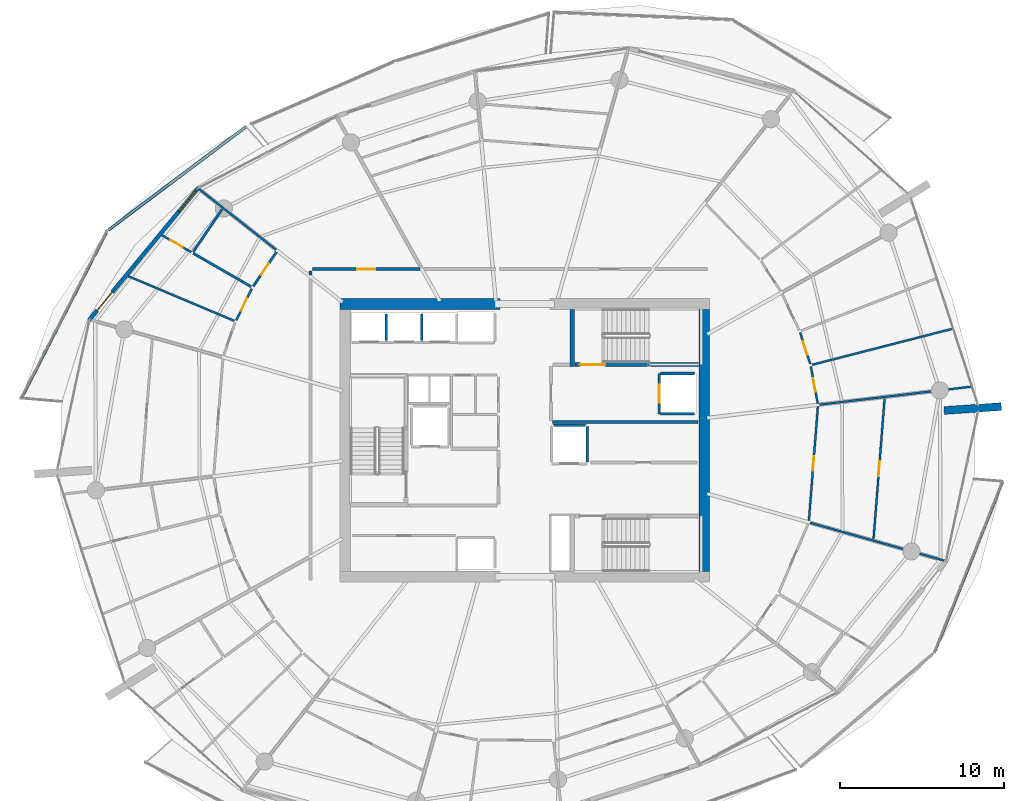
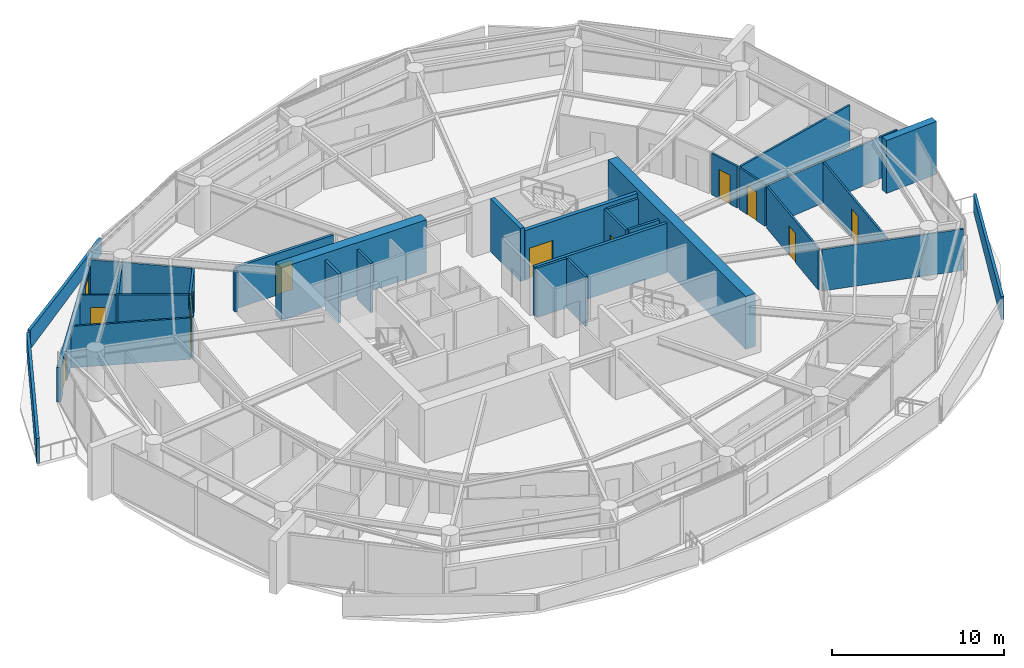
# One storey, part 14 of 21: 33 walls, 11 doors, 1 window, 12 openings.
"""IFC4 building model written with IfcOpenShell, lengths in metres."""

import ifcopenshell
import ifcopenshell.guid

model = None  # the IFC model being written
_history = None  # IfcOwnerHistory: only IFC2X3 demands one
_inside = {}  # id of a spatial element -> (the spatial element, [elements in it])
_under = {}  # id of a project, library or spatial element -> (it, [spatial elements below it])
_declared = {}  # id of a project -> (the project, [libraries it declares])
_typed = {}  # id of a type object -> (the type object, [elements of that type])
_made_of = {}  # id of a material, layer set ... -> (it, [elements and type objects made of it])


def new_model(schema):
    """Start an empty IFC model of exactly this schema.

    Asked for "IFC4X3", IfcOpenShell would pick the latest addendum, in which some entities
    have other attributes; the version numbers below select the first issue.
    IFC2X3 requires an IfcOwnerHistory on every rooted entity: one is made here for all.
    """
    global model, _history
    if schema == "IFC4X3":
        model = ifcopenshell.file(schema_version=(4, 3, 0, 0))
    else:
        model = ifcopenshell.file(schema=schema)
    _inside.clear()
    _under.clear()
    _declared.clear()
    _typed.clear()
    _made_of.clear()
    _history = None
    if model.schema == "IFC2X3":
        org = make("IfcOrganization", Name="unknown")
        user = make(
            "IfcPersonAndOrganization",
            ThePerson=make("IfcPerson", FamilyName="unknown"),
            TheOrganization=org,
        )
        app = make(
            "IfcApplication",
            ApplicationDeveloper=org,
            Version="unknown",
            ApplicationFullName="unknown",
            ApplicationIdentifier="unknown",
        )
        _history = make(
            "IfcOwnerHistory",
            OwningUser=user,
            OwningApplication=app,
            ChangeAction="ADDED",
            CreationDate=0,
        )
    return model


def make(cls, **values):
    """One entity of the class cls with the attributes given. An attribute that is None is left unset."""
    return model.create_entity(
        cls, **{name: value for name, value in values.items() if value is not None}
    )


def rooted(cls, **values):
    """An entity with a GlobalId (a new one), such as an element, a storey or a relation."""
    return make(cls, GlobalId=ifcopenshell.guid.new(), OwnerHistory=_history, **values)


def si_unit(unit_type, name, prefix=None):
    """IfcSIUnit, for example si_unit("LENGTHUNIT", "METRE", prefix="MILLI")."""
    return make("IfcSIUnit", UnitType=unit_type, Prefix=prefix, Name=name)


def assignment(units):
    """IfcUnitAssignment: the units of a project."""
    return None if units is None else make("IfcUnitAssignment", Units=units)


def point(xyz):
    """IfcCartesianPoint."""
    return None if xyz is None else make("IfcCartesianPoint", Coordinates=xyz)


def direction(xyz):
    """IfcDirection."""
    return None if xyz is None else make("IfcDirection", DirectionRatios=xyz)


def frame(location, z_axis=None, x_axis=None):
    """IfcAxis2Placement3D, a coordinate frame: its origin and axes. An axis left out is left unset."""
    return make(
        "IfcAxis2Placement3D",
        Location=point(location),
        Axis=direction(z_axis),
        RefDirection=direction(x_axis),
    )


def frame_2d(location, x_axis=None):
    """IfcAxis2Placement2D, a coordinate frame in the plane: its origin and x axis."""
    return make(
        "IfcAxis2Placement2D", Location=point(location), RefDirection=direction(x_axis)
    )


def origin():
    """The frame at (0, 0, 0) with its axes left unset."""
    return frame((0.0, 0.0, 0.0))


def place(relative_to, where):
    """IfcLocalPlacement: puts the frame where relative to a parent placement (None: the world)."""
    return make(
        "IfcLocalPlacement", PlacementRelTo=relative_to, RelativePlacement=where
    )


def context(
    kind, dimensions, precision=None, world=None, true_north=None, identifier=None
):
    """IfcGeometricRepresentationContext, for example the 3D "Model" context."""
    return make(
        "IfcGeometricRepresentationContext",
        ContextIdentifier=identifier,
        ContextType=kind,
        CoordinateSpaceDimension=dimensions,
        Precision=precision,
        WorldCoordinateSystem=world,
        TrueNorth=true_north,
    )


def subcontext(parent, identifier, kind, view, scale=None):
    """IfcGeometricRepresentationSubContext, for example "Body" below "Model"."""
    return make(
        "IfcGeometricRepresentationSubContext",
        ContextIdentifier=identifier,
        ContextType=kind,
        ParentContext=parent,
        TargetScale=scale,
        TargetView=view,
    )


def project(units=None, contexts=None):
    """IfcProject with its units and contexts."""
    return rooted(
        "IfcProject",
        Name="project",
        RepresentationContexts=contexts,
        UnitsInContext=assignment(units),
    )


def spatial(cls, under=None, at=None, **own):
    """A site, building, storey or space (cls), placed at a placement, below another one or the project."""
    s = rooted(cls, ObjectPlacement=at, **own)
    if under is not None:
        _under.setdefault(under.id(), (under, []))[1].append(s)
    return s


def polyline(points):
    """IfcPolyline through the points."""
    return make("IfcPolyline", Points=[point(p) for p in points])


def profile(cls, at=None, kind="AREA", **sizes):
    """A parametric profile (cls). Its sizes go by their IFC names, for example OverallWidth=200.0."""
    return make(cls, ProfileType=kind, Position=at, **sizes)


def rectangle(**sizes):
    """IfcRectangleProfileDef."""
    return profile("IfcRectangleProfileDef", **sizes)


def outline(outer, holes=None, kind="AREA"):
    """IfcArbitraryClosedProfileDef: a profile drawn as a closed curve; with holes, ...WithVoids."""
    if holes is None:
        return make("IfcArbitraryClosedProfileDef", ProfileType=kind, OuterCurve=outer)
    return make(
        "IfcArbitraryProfileDefWithVoids",
        ProfileType=kind,
        OuterCurve=outer,
        InnerCurves=holes,
    )


def extrude(swept, where, along, depth):
    """IfcExtrudedAreaSolid: the profile swept, set in the frame where, extruded along a direction by depth."""
    return make(
        "IfcExtrudedAreaSolid",
        SweptArea=swept,
        Position=where,
        ExtrudedDirection=direction(along),
        Depth=depth,
    )


def shape(context_of_items, identifier, shape_type, items):
    """IfcShapeRepresentation: the items that make up one representation, for example the "Body"."""
    return make(
        "IfcShapeRepresentation",
        ContextOfItems=context_of_items,
        RepresentationIdentifier=identifier,
        RepresentationType=shape_type,
        Items=items,
    )


def material(Name=None, Category=None):
    """IfcMaterial."""
    return make("IfcMaterial", Name=Name, Category=Category)


def layer(
    of_material, thickness, ventilated=None, Name=None, Category=None, Priority=None
):
    """IfcMaterialLayer: one layer of a wall or slab, of a material (None: an air gap)."""
    return make(
        "IfcMaterialLayer",
        Material=of_material,
        LayerThickness=thickness,
        IsVentilated=ventilated,
        Name=Name,
        Category=Category,
        Priority=Priority,
    )


def layer_set(layers, Name=None):
    """IfcMaterialLayerSet."""
    return make("IfcMaterialLayerSet", MaterialLayers=layers, LayerSetName=Name)


def made_of(thing, what):
    """Note that an element or type object is made of a material, layer set ...; save() writes the relation."""
    if what is not None:
        _made_of.setdefault(what.id(), (what, []))[1].append(thing)
    return thing


def type_object(cls, material=None, **own):
    """A type object (cls), such as IfcWallType, which elements share."""
    return made_of(rooted(cls, **own), material)


def element(
    cls,
    number,
    at=None,
    inside=None,
    cuts=None,
    type_object=None,
    material=None,
    context=None,
    identifier="Body",
    shape_type=None,
    held_by="IfcProductDefinitionShape",
    body=None,
    shapes=None,
    **own,
):
    """One element of the class cls, such as IfcWall. Its Tag is "e" and its number.

    at: its placement. inside: the storey or other place that contains it. cuts: it is an
    opening in that element (IfcRelVoidsElement). A single representation is given by context,
    identifier, shape_type and body (its items); several are given by shapes. held_by: the class
    of the entity that holds the representations. save() writes the other relations.
    """
    e = rooted(cls, Tag="e%d" % number, ObjectPlacement=at, **own)
    if body is not None:
        shapes = [shape(context, identifier, shape_type, body)]
    if shapes is not None:
        e.Representation = make(held_by, Representations=shapes)
    if inside is not None:
        _inside.setdefault(inside.id(), (inside, []))[1].append(e)
    if cuts is not None:
        rooted(
            "IfcRelVoidsElement", RelatingBuildingElement=cuts, RelatedOpeningElement=e
        )
    if type_object is not None:
        _typed.setdefault(type_object.id(), (type_object, []))[1].append(e)
    return made_of(e, material)


def fill(opening, filler):
    """IfcRelFillsElement: the door or window that sits in an opening."""
    return rooted(
        "IfcRelFillsElement",
        RelatingOpeningElement=opening,
        RelatedBuildingElement=filler,
    )


def aggregate(whole, parts):
    """IfcRelAggregates: a whole, such as a stair, and the parts it consists of."""
    return rooted("IfcRelAggregates", RelatingObject=whole, RelatedObjects=parts)


def save(model, path):
    """Write the relations noted so far, then the file.

    IfcRelAggregates (storeys below a building ...), IfcRelContainedInSpatialStructure (elements
    in a storey), IfcRelDefinesByType, IfcRelAssociatesMaterial and IfcRelDeclares: one each for
    every whole, place, type object, material and project.
    """
    for whole, parts in _under.values():
        aggregate(whole, parts)
    for where, things in _inside.values():
        rooted(
            "IfcRelContainedInSpatialStructure",
            RelatedElements=things,
            RelatingStructure=where,
        )
    for kind, things in _typed.values():
        rooted("IfcRelDefinesByType", RelatedObjects=things, RelatingType=kind)
    for what, things in _made_of.values():
        rooted("IfcRelAssociatesMaterial", RelatedObjects=things, RelatingMaterial=what)
    for by, libraries in _declared.values():
        rooted("IfcRelDeclares", RelatingContext=by, RelatedDefinitions=libraries)
    model.write(path)


model = new_model("IFC4")

# Units and contexts
model_context = context("Model", 3, precision=1e-05, world=origin(), true_north=direction((0.0, 1.0)))
body_context = subcontext(model_context, "Body", "Model", "MODEL_VIEW")
ifc_project = project(units=[si_unit("LENGTHUNIT", "METRE"), si_unit("AREAUNIT", "SQUARE_METRE"), si_unit("VOLUMEUNIT", "CUBIC_METRE"), si_unit("PLANEANGLEUNIT", "RADIAN"), si_unit("MASSUNIT", "GRAM", prefix="KILO")], contexts=[model_context])

# Site, building, storey
site_placement = place(None, origin())
site = spatial("IfcSite", under=ifc_project, at=site_placement, CompositionType="ELEMENT")
building_placement = place(site_placement, origin())
building = spatial("IfcBuilding", under=site, at=building_placement, Name="Kazma Halo Residences", CompositionType="ELEMENT")
storey_placement = place(building_placement, frame((0.0, 0.0, 191.550048828125)))
storey = spatial("IfcBuildingStorey", under=building, at=storey_placement, Name="L48", CompositionType="ELEMENT", Elevation=191.550048828125)

# Walls
ifc_material_1 = material(Name="White Concrete C50/60 Balustrade", Category="concrete")
ifc_layer_1 = layer(ifc_material_1, 0.179931640625)
ifc_layer_set_1 = layer_set([ifc_layer_1], Name="White Concrete C50/60 Balustrade")
wall_type_1 = type_object("IfcWallType", Name="WL-BAL-WAVE-180", PredefinedType="PARAPET", material=ifc_layer_set_1)
wall_1_placement = place(storey_placement, frame((31.431884765625, 61.160400390625, 0.0), z_axis=(0.0, 0.0, 1.0), x_axis=(-0.799768695593, -0.600308282093, 0.0)))
element("IfcWall", 1, at=wall_1_placement, inside=storey, type_object=wall_type_1, Name="L48 white wave balustrade wall NW.1", PredefinedType="PARAPET", context=body_context, shape_type="SweptSolid", body=[
    extrude(outline(polyline([(0.0, 0.0), (10.515380859375, 0.0), (10.515380859375, 1.347900390625), (5.2578125, 1.181884765625), (0.0, 1.119873046875), (0.0, 0.0)])), frame((0.0, 0.08984375, 0.0), z_axis=(0.0, -1.0, 0.0), x_axis=(1.0, 0.0, 0.0)), (0.0, 0.0, 1.0), 0.179931640625),
])
wall_2_placement = place(storey_placement, frame((22.871337890625, 54.669189453125, 0.0), z_axis=(0.0, 0.0, 1.0), x_axis=(-0.456201330326, -0.889876590437, 0.0)))
element("IfcWall", 2, at=wall_2_placement, inside=storey, type_object=wall_type_1, Name="L48 white wave balustrade wall NW.2", PredefinedType="PARAPET", context=body_context, shape_type="SweptSolid", body=[
    extrude(outline(polyline([(0.0, 0.0), (11.347412109375, 0.0), (11.347412109375, 1.7470703125), (5.673583984375, 1.56201171875), (0.0, 1.347900390625), (0.0, 0.0)])), frame((0.0, 0.08984375, 0.0), z_axis=(0.0, -1.0, 0.0), x_axis=(1.0, 0.0, 0.0)), (0.0, 0.0, 1.0), 0.179931640625),
])
wall_3_placement = place(storey_placement, frame((73.47314453125, 29.155029296875, 0.0), z_axis=(0.0, 0.0, 1.0), x_axis=(0.369781756991, 0.929118642691, 0.0)))
element("IfcWall", 3, at=wall_3_placement, inside=storey, type_object=wall_type_1, Name="L48 white wave balustrade wall SE.2", PredefinedType="PARAPET", context=body_context, shape_type="SweptSolid", body=[
    extrude(outline(polyline([(0.0, 0.0), (11.122802734375, 0.0), (11.123046875, 1.23291015625), (5.5615234375, 1.41796875), (0.0, 1.6318359375), (0.0, 0.0)])), frame((0.0, 0.08984375, 0.0), z_axis=(0.0, -1.0, 0.0), x_axis=(1.0, 0.0, 0.0)), (0.0, 0.0, 1.0), 0.179931640625),
])
ifc_material_2 = material(Name="Pale Concrete C60/75", Category="concrete")
ifc_layer_2 = layer(ifc_material_2, 0.47998046875)
ifc_layer_set_2 = layer_set([ifc_layer_2], Name="Pale Concrete C60/75")
wall_type_2 = type_object("IfcWallType", Name="WL-BLADE-480", PredefinedType="SOLIDWALL", material=ifc_layer_set_2)
wall_4_placement = place(storey_placement, frame((74.0126953125, 43.819091796875, 0.0), z_axis=(0.0, 0.0, 1.0), x_axis=(0.997568676264, 0.069690287244, 0.0)))
element("IfcWall", 4, at=wall_4_placement, inside=storey, type_object=wall_type_2, Name="L48 pale concrete structural blade fin wall BW-04", PredefinedType="SOLIDWALL", context=body_context, shape_type="SweptSolid", body=[
    extrude(rectangle(XDim=3.499755859375, YDim=0.47998046875, at=frame_2d((1.75, 0.0))), origin(), (0.0, 0.0, 1.0), 3.75),
])
ifc_material_3 = material(Name="Concrete C60/75", Category="concrete")
ifc_layer_3 = layer(ifc_material_3, 0.64990234375)
ifc_layer_set_3 = layer_set([ifc_layer_3], Name="Concrete C60/75")
wall_type_3 = type_object("IfcWallType", Name="WL-CORE-650", PredefinedType="SHEAR", material=ifc_layer_set_3)
wall_5_placement = place(storey_placement, frame((37.14990234375, 50.324951171875, 0.0), z_axis=(0.0, 0.0, 1.0), x_axis=(1.0, 0.0, 0.0)))
element("IfcWall", 5, at=wall_5_placement, inside=storey, type_object=wall_type_3, Name="L48 central core shear wall NW", PredefinedType="SHEAR", context=body_context, shape_type="SweptSolid", body=[
    extrude(rectangle(XDim=9.75, YDim=0.64990234375, at=frame_2d((4.875, 0.0))), origin(), (0.0, 0.0, 1.0), 3.75),
])
wall_6_placement = place(storey_placement, frame((59.375, 34.0, 0.0), z_axis=(0.0, 0.0, 1.0), x_axis=(0.0, 1.0, 0.0)))
element("IfcWall", 6, at=wall_6_placement, inside=storey, type_object=wall_type_3, Name="L48 central core shear wall E", PredefinedType="SHEAR", context=body_context, shape_type="SweptSolid", body=[
    extrude(rectangle(XDim=16.0, YDim=0.64990234375, at=frame_2d((8.0, 0.0))), origin(), (0.0, 0.0, 1.0), 3.75),
])
ifc_layer_4 = layer(ifc_material_3, 0.280029296875)
ifc_layer_set_4 = layer_set([ifc_layer_4], Name="Concrete C60/75")
wall_type_4 = type_object("IfcWallType", Name="WL-CORE-ST-280", PredefinedType="SHEAR", material=ifc_layer_set_4)
wall_7_placement = place(storey_placement, frame((51.31005859375, 46.5, 0.0), z_axis=(0.0, 0.0, 1.0), x_axis=(0.0, 1.0, 0.0)))
element("IfcWall", 7, at=wall_7_placement, inside=storey, type_object=wall_type_4, Name="L48 stairwell bearing wall ST02-W", PredefinedType="SHEAR", context=body_context, shape_type="SweptSolid", body=[
    extrude(rectangle(XDim=3.5, YDim=0.280029296875, at=frame_2d((1.75, 0.0))), origin(), (0.0, 0.0, 1.0), 3.75),
])

# Wall, opening, door
ifc_material_4 = material(Name="Acoustic Twin-Stud Gypsum")
ifc_layer_5 = layer(ifc_material_4, 0.179931640625)
ifc_layer_set_5 = layer_set([ifc_layer_5], Name="Acoustic Twin-Stud Gypsum")
wall_type_5 = type_object("IfcWallType", Name="WL-DEM-180", PredefinedType="PARTITIONING", material=ifc_layer_set_5)
wall_8_placement = place(storey_placement, frame((42.027587890625, 52.449951171875, 0.0), z_axis=(0.0, 0.0, 1.0), x_axis=(-1.0, 0.0, 0.0)))
wall_8 = element("IfcWall", 8, at=wall_8_placement, inside=storey, type_object=wall_type_5, Name="L48 Apartment 1 entrance corridor wall", PredefinedType="PARTITIONING", context=body_context, shape_type="SweptSolid", body=[
    extrude(rectangle(XDim=6.5576171875, YDim=0.179931640625, at=frame_2d((3.27880859375, 0.0))), origin(), (0.0, 0.0, 1.0), 2.93994140625),
])
opening_1_placement = place(wall_8_placement, frame((2.72900390625, 0.0, 0.0)))
opening_1 = element("IfcOpeningElement", 9, at=opening_1_placement, cuts=wall_8, Name="Opening DA-1100", PredefinedType="OPENING", context=body_context, shape_type="SweptSolid", body=[
    extrude(rectangle(XDim=1.10009765625, YDim=2.10009765625, at=frame_2d((0.550048828125, 1.050048828125))), frame((0.0, 0.099853515625, 0.0), z_axis=(0.0, -1.0, 0.0), x_axis=(1.0, 0.0, 0.0)), (0.0, 0.0, 1.0), 0.199951171875),
])
ifc_material_5 = material(Name="Acoustic Walnut Fire Leaf")
door_type_1 = type_object("IfcDoorType", Name="DR-FD60-1100", OperationType="NOTDEFINED", PredefinedType="DOOR", material=ifc_material_5)
door_1_placement = place(opening_1_placement, origin())
door_1 = element("IfcDoor", 10, at=door_1_placement, inside=storey, type_object=door_type_1, Name="L48 Apartment 1 entrance fire door", OperationType="SINGLE_SWING_RIGHT", OverallHeight=2.10009765625, OverallWidth=1.10009765625, PredefinedType="DOOR", context=body_context, shape_type="SweptSolid", body=[
    extrude(rectangle(XDim=1.10009765625, YDim=2.10009765625, at=frame_2d((0.550048828125, 1.050048828125))), frame((0.0, 0.02490234375, 0.0), z_axis=(0.0, -1.0, 0.0), x_axis=(1.0, 0.0, 0.0)), (0.0, 0.0, 1.0), 0.050048828125),
])
fill(opening_1, door_1)

# Wall
wall_9_placement = place(storey_placement, frame((35.35009765625, 52.330078125, 0.0), z_axis=(0.0, 0.0, 1.0), x_axis=(0.0, -1.0, 0.0)))
element("IfcWall", 11, at=wall_9_placement, inside=storey, type_object=wall_type_5, Name="L48 Apartment 1 entrance corridor wall", PredefinedType="PARTITIONING", context=body_context, shape_type="SweptSolid", body=[
    extrude(rectangle(XDim=0.237548828125, YDim=0.179931640625, at=frame_2d((0.11865234375, 0.0))), origin(), (0.0, 0.0, 1.0), 2.93994140625),
])

# Wall, openings, door, window
ifc_material_6 = material(Name="Insulated Pale-Metal Composite Wall")
ifc_layer_6 = layer(ifc_material_6, 0.239990234375)
ifc_layer_set_6 = layer_set([ifc_layer_6], Name="Insulated Pale-Metal Composite Wall")
wall_type_6 = type_object("IfcWallType", Name="WL-EXT-HOST-240", PredefinedType="SOLIDWALL", material=ifc_layer_set_6)
wall_10_placement = place(storey_placement, frame((28.514892578125, 57.42431640625, 0.0), z_axis=(0.0, 0.0, 1.0), x_axis=(-0.636759394418, -0.771062561418, 0.0)))
wall_10 = element("IfcWall", 12, at=wall_10_placement, inside=storey, type_object=wall_type_6, Name="L48 exterior terrace-access wall B06", PredefinedType="SOLIDWALL", context=body_context, shape_type="SweptSolid", body=[
    extrude(rectangle(XDim=10.494384765625, YDim=0.239990234375, at=frame_2d((5.2470703125, 0.0))), origin(), (0.0, 0.0, 1.0), 2.449951171875),
])
opening_2_placement = place(wall_10_placement, frame((8.2744140625, 0.0, 0.0)))
opening_2 = element("IfcOpeningElement", 13, at=opening_2_placement, cuts=wall_10, Name="Opening DTR-1600", PredefinedType="OPENING", context=body_context, shape_type="SweptSolid", body=[
    extrude(rectangle(XDim=1.449951171875, YDim=2.14990234375, at=frame_2d((0.72509765625, 1.074951171875))), frame((0.0, 0.1298828125, 0.0), z_axis=(0.0, -1.0, 0.0), x_axis=(1.0, 0.0, 0.0)), (0.0, 0.0, 1.0), 0.260009765625),
])
opening_3_placement = place(wall_10_placement, frame((0.280029296875, 0.0, 0.64990234375)))
opening_3 = element("IfcOpeningElement", 14, at=opening_3_placement, cuts=wall_10, Name="Opening W-1800", PredefinedType="OPENING", context=body_context, shape_type="SweptSolid", body=[
    extrude(rectangle(XDim=1.60009765625, YDim=1.5, at=frame_2d((0.800048828125, 0.75))), frame((0.0, 0.1298828125, 0.0), z_axis=(0.0, -1.0, 0.0), x_axis=(1.0, 0.0, 0.0)), (0.0, 0.0, 1.0), 0.260009765625),
])
ifc_material_7 = material(Name="Aluminium AW-6063 T6 Double-Glazed Terrace Door", Category="aluminium")
door_type_2 = type_object("IfcDoorType", Name="DR-EXT-TERR-1600", OperationType="NOTDEFINED", PredefinedType="DOOR", material=ifc_material_7)
door_2_placement = place(opening_2_placement, origin())
door_2 = element("IfcDoor", 15, at=door_2_placement, inside=storey, type_object=door_type_2, Name="L48 B06 balcony terrace door", OperationType="DOUBLE_DOOR_SLIDING", OverallHeight=2.14990234375, OverallWidth=1.449951171875, PredefinedType="DOOR", context=body_context, shape_type="SweptSolid", body=[
    extrude(rectangle(XDim=1.449951171875, YDim=2.14990234375, at=frame_2d((0.72509765625, 1.074951171875))), frame((0.0, 0.02490234375, 0.0), z_axis=(0.0, -1.0, 0.0), x_axis=(1.0, 0.0, 0.0)), (0.0, 0.0, 1.0), 0.050048828125),
])
fill(opening_2, door_2)
ifc_material_8 = material(Name="Clear Triple-Silver Low-E Glass in Aluminium AW-6063 T6 Frame", Category="aluminium")
window_type = type_object("IfcWindowType", Name="WIN-RES-1800", PartitioningType="DOUBLE_PANEL_VERTICAL", PredefinedType="WINDOW", material=ifc_material_8)
window_placement = place(opening_3_placement, origin())
window = element("IfcWindow", 16, at=window_placement, inside=storey, type_object=window_type, Name="L48 B06 apartment window", OverallHeight=1.5, OverallWidth=1.60009765625, PartitioningType="SINGLE_PANEL", PredefinedType="WINDOW", context=body_context, shape_type="SweptSolid", body=[
    extrude(rectangle(XDim=1.60009765625, YDim=1.5, at=frame_2d((0.800048828125, 0.75))), frame((0.0, 0.030029296875, 0.0), z_axis=(0.0, -1.0, 0.0), x_axis=(1.0, 0.0, 0.0)), (0.0, 0.0, 1.0), 0.06005859375),
])
fill(opening_3, window)

# Walls
ifc_material_9 = material(Name="Fire-Rated Blockwork Masonry", Category="masonry")
ifc_layer_7 = layer(ifc_material_9, 0.199951171875)
ifc_layer_set_7 = layer_set([ifc_layer_7], Name="Fire-Rated Blockwork Masonry")
wall_type_7 = type_object("IfcWallType", Name="WL-FLB-200", PredefinedType="PARTITIONING", material=ifc_layer_set_7)
for number, where, z_axis, x_axis, name in (
    (17, (39.97509765625, 48.094970703125, 0.0), (0.0, 0.0, 1.0), (0.0, 1.0, 0.0), "L48 lift shaft PM-01 side wall E"),
    (18, (42.125, 48.094970703125, 0.0), (0.0, 0.0, 1.0), (0.0, 1.0, 0.0), "L48 lift shaft PM-02 side wall E"),
):
    element("IfcWall", number, at=place(storey_placement, frame(where, z_axis=z_axis, x_axis=x_axis)), inside=storey, type_object=wall_type_7, Name=name, PredefinedType="PARTITIONING", context=body_context, shape_type="SweptSolid", body=[
        extrude(rectangle(XDim=1.610107421875, YDim=0.159912109375, at=frame_2d((0.80517578125, 0.0))), origin(), (0.0, 0.0, 1.0), 3.5),
    ])

# Wall, opening, door
wall_11_placement = place(storey_placement, frame((56.6201171875, 46.080078125, 0.0), z_axis=(0.0, 0.0, 1.0), x_axis=(0.0, -1.0, 0.0)))
wall_11 = element("IfcWall", 19, at=wall_11_placement, inside=storey, type_object=wall_type_7, Name="L48 lift shaft FL-02 front wall", PredefinedType="PARTITIONING", context=body_context, shape_type="SweptSolid", body=[
    extrude(rectangle(XDim=2.4599609375, YDim=0.159912109375, at=frame_2d((1.22998046875, 0.0))), origin(), (0.0, 0.0, 1.0), 3.5),
])
opening_4_placement = place(wall_11_placement, frame((0.679931640625, 0.0, 0.0)))
opening_4 = element("IfcOpeningElement", 20, at=opening_4_placement, cuts=wall_11, Name="Opening LD-FL-02", PredefinedType="OPENING", context=body_context, shape_type="SweptSolid", body=[
    extrude(rectangle(XDim=1.10009765625, YDim=2.10009765625, at=frame_2d((0.550048828125, 1.050048828125))), frame((0.0, 0.08984375, 0.0), z_axis=(0.0, -1.0, 0.0), x_axis=(1.0, 0.0, 0.0)), (0.0, 0.0, 1.0), 0.179931640625),
])
ifc_material_10 = material(Name="Stainless Steel Fire-Rated", Category="steel")
door_type_3 = type_object("IfcDoorType", Name="DR-LIFT-SLD-1100", OperationType="DOUBLE_DOOR_SLIDING", PredefinedType="DOOR", material=ifc_material_10)
door_3_placement = place(opening_4_placement, origin())
door_3 = element("IfcDoor", 21, at=door_3_placement, inside=storey, type_object=door_type_3, Name="L48 lift FL-02 sliding landing door", OperationType="DOUBLE_DOOR_SLIDING", OverallHeight=2.10009765625, OverallWidth=1.10009765625, PredefinedType="DOOR", context=body_context, shape_type="SweptSolid", body=[
    extrude(rectangle(XDim=1.10009765625, YDim=2.10009765625, at=frame_2d((0.550048828125, 1.050048828125))), frame((0.0, 0.02490234375, 0.0), z_axis=(0.0, -1.0, 0.0), x_axis=(1.0, 0.0, 0.0)), (0.0, 0.0, 1.0), 0.050048828125),
])
fill(opening_4, door_3)

# Walls
for number, where, z_axis, x_axis, name in (
    (22, (56.719970703125, 46.080078125, 0.0), (0.0, 0.0, 1.0), (1.0, 0.0, 0.0), "L48 lift shaft FL-02 side wall N"),
    (23, (56.719970703125, 43.6201171875, 0.0), (0.0, 0.0, 1.0), (1.0, 0.0, 0.0), "L48 lift shaft FL-02 side wall S"),
):
    element("IfcWall", number, at=place(storey_placement, frame(where, z_axis=z_axis, x_axis=x_axis)), inside=storey, type_object=wall_type_7, Name=name, PredefinedType="PARTITIONING", context=body_context, shape_type="SweptSolid", body=[
        extrude(rectangle(XDim=2.06005859375, YDim=0.159912109375, at=frame_2d((1.030029296875, 0.0))), origin(), (0.0, 0.0, 1.0), 3.5),
    ])
wall_12_placement = place(storey_placement, frame((52.22998046875, 40.669921875, 0.0), z_axis=(0.0, 0.0, 1.0), x_axis=(0.0, 1.0, 0.0)))
element("IfcWall", 24, at=wall_12_placement, inside=storey, type_object=wall_type_7, Name="L48 lift shaft SV-01 side wall E", PredefinedType="PARTITIONING", context=body_context, shape_type="SweptSolid", body=[
    extrude(rectangle(XDim=2.16015625, YDim=0.159912109375, at=frame_2d((1.080078125, 0.0))), origin(), (0.0, 0.0, 1.0), 3.5),
])
wall_13_placement = place(storey_placement, frame((50.169921875, 42.929931640625, 0.0), z_axis=(0.0, 0.0, 1.0), x_axis=(1.0, 0.0, 0.0)))
element("IfcWall", 25, at=wall_13_placement, inside=storey, type_object=wall_type_7, Name="L48 lift shaft SV-01 side wall N", PredefinedType="PARTITIONING", context=body_context, shape_type="SweptSolid", body=[
    extrude(rectangle(XDim=1.9599609375, YDim=0.159912109375, at=frame_2d((0.97998046875, 0.0))), origin(), (0.0, 0.0, 1.0), 3.5),
])
wall_14_placement = place(storey_placement, frame((50.1201171875, 43.1201171875, 0.0), z_axis=(0.0, 0.0, 1.0), x_axis=(1.0, 0.0, 0.0)))
element("IfcWall", 26, at=wall_14_placement, inside=storey, type_object=wall_type_7, Name="L48 east firefighting lobby south smoke wall", PredefinedType="PARTITIONING", context=body_context, shape_type="SweptSolid", body=[
    extrude(rectangle(XDim=8.8798828125, YDim=0.199951171875, at=frame_2d((4.43994140625, 0.0))), origin(), (0.0, 0.0, 1.0), 3.5),
])
ifc_material_11 = material(Name="Gypsum Plasterboard Partition")
ifc_layer_8 = layer(ifc_material_11, 0.125)
ifc_layer_set_8 = layer_set([ifc_layer_8], Name="Gypsum Plasterboard Partition")
wall_type_8 = type_object("IfcWallType", Name="WL-PART-125", PredefinedType="PARTITIONING", material=ifc_layer_set_8)
wall_15_placement = place(storey_placement, frame((33.24072265625, 53.63525390625, 0.0), z_axis=(0.0, 0.0, 1.0), x_axis=(-0.785321754625, 0.619087830371, 0.0)))
element("IfcWall", 27, at=wall_15_placement, inside=storey, type_object=wall_type_8, Name="L48 Apartment 1 radial partition 5", PredefinedType="PARTITIONING", context=body_context, shape_type="SweptSolid", body=[
    extrude(rectangle(XDim=6.033203125, YDim=0.125, at=frame_2d((3.0166015625, 0.0))), origin(), (0.0, 0.0, 1.0), 2.93994140625),
])

# Wall, opening, door
wall_16_placement = place(storey_placement, frame((28.0673828125, 53.483642578125, 0.0), z_axis=(0.0, 0.0, 1.0), x_axis=(-0.866444666734, 0.49927311112, 0.0)))
wall_16 = element("IfcWall", 28, at=wall_16_placement, inside=storey, type_object=wall_type_8, Name="L48 Apartment 1 Household Store Room partition wall", PredefinedType="PARTITIONING", context=body_context, shape_type="SweptSolid", body=[
    extrude(rectangle(XDim=2.06982421875, YDim=0.125, at=frame_2d((1.034912109375, 0.0))), origin(), (0.0, 0.0, 1.0), 2.93994140625),
])
opening_5_placement = place(wall_16_placement, frame((0.60986328125, 0.0, 0.0)))
opening_5 = element("IfcOpeningElement", 29, at=opening_5_placement, cuts=wall_16, Name="Opening DB-900", PredefinedType="OPENING", context=body_context, shape_type="SweptSolid", body=[
    extrude(rectangle(XDim=0.85009765625, YDim=2.06005859375, at=frame_2d((0.425048828125, 1.030029296875))), frame((0.0, 0.072509765625, 0.0), z_axis=(0.0, -1.0, 0.0), x_axis=(1.0, 0.0, 0.0)), (0.0, 0.0, 1.0), 0.14501953125),
])
ifc_material_12 = material(Name="Moisture-Sealed Timber Leaf", Category="wood")
door_type_4 = type_object("IfcDoorType", Name="DR-BTH-900", OperationType="NOTDEFINED", PredefinedType="DOOR", material=ifc_material_12)
door_4_placement = place(opening_5_placement, origin())
door_4 = element("IfcDoor", 30, at=door_4_placement, inside=storey, type_object=door_type_4, Name="L48 Apartment 1 Household Store Room door", OperationType="SINGLE_SWING_LEFT", OverallHeight=2.06005859375, OverallWidth=0.85009765625, PredefinedType="DOOR", context=body_context, shape_type="SweptSolid", body=[
    extrude(rectangle(XDim=0.85009765625, YDim=2.06005859375, at=frame_2d((0.425048828125, 1.030029296875))), frame((0.0, 0.02490234375, 0.0), z_axis=(0.0, -1.0, 0.0), x_axis=(1.0, 0.0, 0.0)), (0.0, 0.0, 1.0), 0.050048828125),
])
fill(opening_5, door_4)

# Wall
wall_17_placement = place(storey_placement, frame((30.68994140625, 49.293701171875, 0.0), z_axis=(0.0, 0.0, 1.0), x_axis=(-0.921527492378, 0.388313122095, 0.0)))
element("IfcWall", 31, at=wall_17_placement, inside=storey, type_object=wall_type_8, Name="L48 Apartment 1 suite divider 5", PredefinedType="PARTITIONING", context=body_context, shape_type="SweptSolid", body=[
    extrude(rectangle(XDim=7.031005859375, YDim=0.125, at=frame_2d((3.515625, 0.0))), origin(), (0.0, 0.0, 1.0), 2.93994140625),
])

# Wall, opening, door
wall_18_placement = place(storey_placement, frame((31.761962890625, 51.251708984375, 0.0), z_axis=(0.0, 0.0, 1.0), x_axis=(-0.444525075821, -0.89576640759, 0.0)))
wall_18 = element("IfcWall", 32, at=wall_18_placement, inside=storey, type_object=wall_type_8, Name="L48 Apartment 1 Gourmet Kitchen hall wall", PredefinedType="PARTITIONING", context=body_context, shape_type="SweptSolid", body=[
    extrude(rectangle(XDim=2.144775390625, YDim=0.125, at=frame_2d((1.072265625, 0.0))), origin(), (0.0, 0.0, 1.0), 2.93994140625),
])
opening_6_placement = place(wall_18_placement, frame((0.647216796875, 0.0, 0.0)))
opening_6 = element("IfcOpeningElement", 33, at=opening_6_placement, cuts=wall_18, Name="Opening DB-900", PredefinedType="OPENING", context=body_context, shape_type="SweptSolid", body=[
    extrude(rectangle(XDim=0.85009765625, YDim=2.06005859375, at=frame_2d((0.425048828125, 1.030029296875))), frame((0.0, 0.072509765625, 0.0), z_axis=(0.0, -1.0, 0.0), x_axis=(1.0, 0.0, 0.0)), (0.0, 0.0, 1.0), 0.14501953125),
])
door_5_placement = place(opening_6_placement, origin())
door_5 = element("IfcDoor", 34, at=door_5_placement, inside=storey, type_object=door_type_4, Name="L48 Apartment 1 Gourmet Kitchen door", OperationType="SINGLE_SWING_RIGHT", OverallHeight=2.06005859375, OverallWidth=0.85009765625, PredefinedType="DOOR", context=body_context, shape_type="SweptSolid", body=[
    extrude(rectangle(XDim=0.85009765625, YDim=2.06005859375, at=frame_2d((0.425048828125, 1.030029296875))), frame((0.0, 0.02490234375, 0.0), z_axis=(0.0, -1.0, 0.0), x_axis=(1.0, 0.0, 0.0)), (0.0, 0.0, 1.0), 0.050048828125),
])
fill(opening_6, door_5)

# Wall
wall_19_placement = place(storey_placement, frame((65.8505859375, 36.965576171875, 0.0), z_axis=(0.0, 0.0, 1.0), x_axis=(0.962454495696, -0.271443076381, 0.0)))
element("IfcWall", 35, at=wall_19_placement, inside=storey, type_object=wall_type_8, Name="L48 Apartment 2 radial partition 14", PredefinedType="PARTITIONING", context=body_context, shape_type="SweptSolid", body=[
    extrude(rectangle(XDim=8.4833984375, YDim=0.125, at=frame_2d((4.24169921875, 0.0))), origin(), (0.0, 0.0, 1.0), 2.93994140625),
])

# Wall, opening, door
wall_20_placement = place(storey_placement, frame((65.762939453125, 37.102294921875, 0.0), z_axis=(0.0, 0.0, 1.0), x_axis=(0.078478299552, 0.996915822173, 0.0)))
wall_20 = element("IfcWall", 36, at=wall_20_placement, inside=storey, type_object=wall_type_8, Name="L48 Apartment 2 Secondary Study hall wall", PredefinedType="PARTITIONING", context=body_context, shape_type="SweptSolid", body=[
    extrude(rectangle(XDim=6.977783203125, YDim=0.125, at=frame_2d((3.48876953125, 0.0))), origin(), (0.0, 0.0, 1.0), 2.93994140625),
])
opening_7_placement = place(wall_20_placement, frame((3.038818359375, 0.0, 0.0)))
opening_7 = element("IfcOpeningElement", 37, at=opening_7_placement, cuts=wall_20, Name="Opening DI-950", PredefinedType="OPENING", context=body_context, shape_type="SweptSolid", body=[
    extrude(rectangle(XDim=0.89990234375, YDim=2.080078125, at=frame_2d((0.449951171875, 1.0400390625))), frame((0.0, 0.072509765625, 0.0), z_axis=(0.0, -1.0, 0.0), x_axis=(1.0, 0.0, 0.0)), (0.0, 0.0, 1.0), 0.14501953125),
])
ifc_material_13 = material(Name="Timber Veneer Flush Leaf", Category="wood")
door_type_5 = type_object("IfcDoorType", Name="DR-INT-950", OperationType="NOTDEFINED", PredefinedType="DOOR", material=ifc_material_13)
door_6_placement = place(opening_7_placement, origin())
door_6 = element("IfcDoor", 38, at=door_6_placement, inside=storey, type_object=door_type_5, Name="L48 Apartment 2 Secondary Study door", OperationType="SINGLE_SWING_LEFT", OverallHeight=2.080078125, OverallWidth=0.89990234375, PredefinedType="DOOR", context=body_context, shape_type="SweptSolid", body=[
    extrude(rectangle(XDim=0.89990234375, YDim=2.080078125, at=frame_2d((0.449951171875, 1.0400390625))), frame((0.0, 0.02490234375, 0.0), z_axis=(0.0, -1.0, 0.0), x_axis=(1.0, 0.0, 0.0)), (0.0, 0.0, 1.0), 0.050048828125),
])
fill(opening_7, door_6)

wall_21_placement = place(storey_placement, frame((69.708984375, 35.989501953125, 0.0), z_axis=(0.0, 0.0, 1.0), x_axis=(0.078474694613, 0.996916105951, 0.0)))
wall_21 = element("IfcWall", 39, at=wall_21_placement, inside=storey, type_object=wall_type_8, Name="L48 Apartment 2 East Master Bedroom divider wall", PredefinedType="PARTITIONING", context=body_context, shape_type="SweptSolid", body=[
    extrude(rectangle(XDim=8.5771484375, YDim=0.125, at=frame_2d((4.28857421875, 0.0))), origin(), (0.0, 0.0, 1.0), 2.93994140625),
])
opening_8_placement = place(wall_21_placement, frame((3.838623046875, 0.0, 0.0)))
opening_8 = element("IfcOpeningElement", 40, at=opening_8_placement, cuts=wall_21, Name="Opening DI-950", PredefinedType="OPENING", context=body_context, shape_type="SweptSolid", body=[
    extrude(rectangle(XDim=0.89990234375, YDim=2.080078125, at=frame_2d((0.449951171875, 1.0400390625))), frame((0.0, 0.072509765625, 0.0), z_axis=(0.0, -1.0, 0.0), x_axis=(1.0, 0.0, 0.0)), (0.0, 0.0, 1.0), 0.14501953125),
])
door_7_placement = place(opening_8_placement, origin())
door_7 = element("IfcDoor", 41, at=door_7_placement, inside=storey, type_object=door_type_5, Name="L48 Apartment 2 East Master Bedroom door", OperationType="SINGLE_SWING_RIGHT", OverallHeight=2.080078125, OverallWidth=0.89990234375, PredefinedType="DOOR", context=body_context, shape_type="SweptSolid", body=[
    extrude(rectangle(XDim=0.89990234375, YDim=2.080078125, at=frame_2d((0.449951171875, 1.0400390625))), frame((0.0, 0.02490234375, 0.0), z_axis=(0.0, -1.0, 0.0), x_axis=(1.0, 0.0, 0.0)), (0.0, 0.0, 1.0), 0.050048828125),
])
fill(opening_8, door_7)

# Walls
wall_22_placement = place(storey_placement, frame((66.41845703125, 44.179931640625, 0.0), z_axis=(0.0, 0.0, 1.0), x_axis=(0.993067101384, 0.117548850055, 0.0)))
element("IfcWall", 42, at=wall_22_placement, inside=storey, type_object=wall_type_8, Name="L48 Apartment 2 radial partition 15", PredefinedType="PARTITIONING", context=body_context, shape_type="SweptSolid", body=[
    extrude(rectangle(XDim=9.34814453125, YDim=0.125, at=frame_2d((4.674072265625, 0.0))), origin(), (0.0, 0.0, 1.0), 2.93994140625),
])
wall_23_placement = place(storey_placement, frame((65.95458984375, 46.610107421875, 0.0), z_axis=(0.0, 0.0, 1.0), x_axis=(0.968584232606, 0.248685713997, 0.0)))
element("IfcWall", 43, at=wall_23_placement, inside=storey, type_object=wall_type_8, Name="L48 Apartment 2 bay wall 1 15", PredefinedType="PARTITIONING", context=body_context, shape_type="SweptSolid", body=[
    extrude(rectangle(XDim=8.875732421875, YDim=0.125, at=frame_2d((4.43798828125, 0.0))), origin(), (0.0, 0.0, 1.0), 2.93994140625),
])

# Wall, opening, door
wall_24_placement = place(storey_placement, frame((66.304443359375, 44.246826171875, 0.0), z_axis=(0.0, 0.0, 1.0), x_axis=(-0.183532651905, 0.983013614191, 0.0)))
wall_24 = element("IfcWall", 44, at=wall_24_placement, inside=storey, type_object=wall_type_8, Name="L48 Apartment 2 South Bedroom hall wall", PredefinedType="PARTITIONING", context=body_context, shape_type="SweptSolid", body=[
    extrude(rectangle(XDim=2.30126953125, YDim=0.125, at=frame_2d((1.150634765625, 0.0))), origin(), (0.0, 0.0, 1.0), 2.93994140625),
])
opening_9_placement = place(wall_24_placement, frame((0.7255859375, 0.0, 0.0)))
opening_9 = element("IfcOpeningElement", 45, at=opening_9_placement, cuts=wall_24, Name="Opening DB-900", PredefinedType="OPENING", context=body_context, shape_type="SweptSolid", body=[
    extrude(rectangle(XDim=0.85009765625, YDim=2.06005859375, at=frame_2d((0.425048828125, 1.030029296875))), frame((0.0, 0.072509765625, 0.0), z_axis=(0.0, -1.0, 0.0), x_axis=(1.0, 0.0, 0.0)), (0.0, 0.0, 1.0), 0.14501953125),
])
door_8_placement = place(opening_9_placement, origin())
door_8 = element("IfcDoor", 46, at=door_8_placement, inside=storey, type_object=door_type_4, Name="L48 Apartment 2 South Bedroom door", OperationType="SINGLE_SWING_LEFT", OverallHeight=2.06005859375, OverallWidth=0.85009765625, PredefinedType="DOOR", context=body_context, shape_type="SweptSolid", body=[
    extrude(rectangle(XDim=0.85009765625, YDim=2.06005859375, at=frame_2d((0.425048828125, 1.030029296875))), frame((0.0, 0.02490234375, 0.0), z_axis=(0.0, -1.0, 0.0), x_axis=(1.0, 0.0, 0.0)), (0.0, 0.0, 1.0), 0.050048828125),
])
fill(opening_9, door_8)

wall_25_placement = place(storey_placement, frame((65.843017578125, 46.663818359375, 0.0), z_axis=(0.0, 0.0, 1.0), x_axis=(-0.305321673033, 0.952249271975, 0.0)))
wall_25 = element("IfcWall", 47, at=wall_25_placement, inside=storey, type_object=wall_type_8, Name="L48 Apartment 2 Inner Study hall wall", PredefinedType="PARTITIONING", context=body_context, shape_type="SweptSolid", body=[
    extrude(rectangle(XDim=2.01171875, YDim=0.125, at=frame_2d((1.005859375, 0.0))), origin(), (0.0, 0.0, 1.0), 2.93994140625),
])
opening_10_placement = place(wall_25_placement, frame((0.5810546875, 0.0, 0.0)))
opening_10 = element("IfcOpeningElement", 48, at=opening_10_placement, cuts=wall_25, Name="Opening DB-900", PredefinedType="OPENING", context=body_context, shape_type="SweptSolid", body=[
    extrude(rectangle(XDim=0.85009765625, YDim=2.06005859375, at=frame_2d((0.425048828125, 1.030029296875))), frame((0.0, 0.072509765625, 0.0), z_axis=(0.0, -1.0, 0.0), x_axis=(1.0, 0.0, 0.0)), (0.0, 0.0, 1.0), 0.14501953125),
])
door_9_placement = place(opening_10_placement, origin())
door_9 = element("IfcDoor", 49, at=door_9_placement, inside=storey, type_object=door_type_4, Name="L48 Apartment 2 Inner Study door", OperationType="SINGLE_SWING_RIGHT", OverallHeight=2.06005859375, OverallWidth=0.85009765625, PredefinedType="DOOR", context=body_context, shape_type="SweptSolid", body=[
    extrude(rectangle(XDim=0.85009765625, YDim=2.06005859375, at=frame_2d((0.425048828125, 1.030029296875))), frame((0.0, 0.02490234375, 0.0), z_axis=(0.0, -1.0, 0.0), x_axis=(1.0, 0.0, 0.0)), (0.0, 0.0, 1.0), 0.050048828125),
])
fill(opening_10, door_9)

ifc_material_14 = material(Name="Concrete C50/60", Category="concrete")
ifc_layer_9 = layer(ifc_material_14, 0.25)
ifc_layer_set_9 = layer_set([ifc_layer_9], Name="Concrete C50/60")
wall_type_9 = type_object("IfcWallType", Name="WL-SHF-250", PredefinedType="SOLIDWALL", material=ifc_layer_set_9)
wall_26_placement = place(storey_placement, frame((51.47998046875, 46.6201171875, 0.0), z_axis=(0.0, 0.0, 1.0), x_axis=(1.0, 0.0, 0.0)))
wall_26 = element("IfcWall", 50, at=wall_26_placement, inside=storey, type_object=wall_type_9, Name="L48 exit stair ST-02 enclosure wall", PredefinedType="SOLIDWALL", context=body_context, shape_type="SweptSolid", body=[
    extrude(rectangle(XDim=7.5400390625, YDim=0.25, at=frame_2d((3.77001953125, 0.0))), origin(), (0.0, 0.0, 1.0), 3.5),
])
opening_11_placement = place(wall_26_placement, frame((0.300048828125, 0.0, 0.0)))
opening_11 = element("IfcOpeningElement", 51, at=opening_11_placement, cuts=wall_26, Name="Opening D-ST2", PredefinedType="OPENING", context=body_context, shape_type="SweptSolid", body=[
    extrude(rectangle(XDim=1.550048828125, YDim=2.14990234375, at=frame_2d((0.77490234375, 1.074951171875))), frame((0.0, 0.135009765625, 0.0), z_axis=(0.0, -1.0, 0.0), x_axis=(1.0, 0.0, 0.0)), (0.0, 0.0, 1.0), 0.27001953125),
])
ifc_material_15 = material(Name="Fire-Rated Double Steel Leaf", Category="steel")
door_type_6 = type_object("IfcDoorType", Name="DR-FD90-1550", OperationType="NOTDEFINED", PredefinedType="DOOR", material=ifc_material_15)
door_10_placement = place(opening_11_placement, origin())
door_10 = element("IfcDoor", 52, at=door_10_placement, inside=storey, type_object=door_type_6, Name="L48 exit stair ST-02 fire door", OperationType="DOUBLE_DOOR_SINGLE_SWING", OverallHeight=2.14990234375, OverallWidth=1.550048828125, PredefinedType="DOOR", context=body_context, shape_type="SweptSolid", body=[
    extrude(rectangle(XDim=1.550048828125, YDim=2.14990234375, at=frame_2d((0.77490234375, 1.074951171875))), frame((0.0, 0.02490234375, 0.0), z_axis=(0.0, -1.0, 0.0), x_axis=(1.0, 0.0, 0.0)), (0.0, 0.0, 1.0), 0.050048828125),
])
fill(opening_11, door_10)

ifc_material_16 = material(Name="Moisture-Resistant Gypsum")
ifc_layer_10 = layer(ifc_material_16, 0.14990234375)
ifc_layer_set_10 = layer_set([ifc_layer_10], Name="Moisture-Resistant Gypsum")
wall_type_10 = type_object("IfcWallType", Name="WL-WET-150", PredefinedType="PARTITIONING", material=ifc_layer_set_10)
wall_27_placement = place(storey_placement, frame((33.26318359375, 53.490478515625, 0.0), z_axis=(0.0, 0.0, 1.0), x_axis=(-0.560597119889, -0.828088684364, 0.0)))
wall_27 = element("IfcWall", 53, at=wall_27_placement, inside=storey, type_object=wall_type_10, Name="L48 Apartment 1 Guest Bathroom hall wall", PredefinedType="PARTITIONING", context=body_context, shape_type="SweptSolid", body=[
    extrude(rectangle(XDim=2.516357421875, YDim=0.14990234375, at=frame_2d((1.25830078125, 0.0))), origin(), (0.0, 0.0, 1.0), 2.93994140625),
])
opening_12_placement = place(wall_27_placement, frame((0.833251953125, 0.0, 0.0)))
opening_12 = element("IfcOpeningElement", 54, at=opening_12_placement, cuts=wall_27, Name="Opening DB-900", PredefinedType="OPENING", context=body_context, shape_type="SweptSolid", body=[
    extrude(rectangle(XDim=0.85009765625, YDim=2.06005859375, at=frame_2d((0.425048828125, 1.030029296875))), frame((0.0, 0.0849609375, 0.0), z_axis=(0.0, -1.0, 0.0), x_axis=(1.0, 0.0, 0.0)), (0.0, 0.0, 1.0), 0.169921875),
])
door_11_placement = place(opening_12_placement, origin())
door_11 = element("IfcDoor", 55, at=door_11_placement, inside=storey, type_object=door_type_4, Name="L48 Apartment 1 Guest Bathroom door", OperationType="SINGLE_SWING_RIGHT", OverallHeight=2.06005859375, OverallWidth=0.85009765625, PredefinedType="DOOR", context=body_context, shape_type="SweptSolid", body=[
    extrude(rectangle(XDim=0.85009765625, YDim=2.06005859375, at=frame_2d((0.425048828125, 1.030029296875))), frame((0.0, 0.02490234375, 0.0), z_axis=(0.0, -1.0, 0.0), x_axis=(1.0, 0.0, 0.0)), (0.0, 0.0, 1.0), 0.050048828125),
])
fill(opening_12, door_11)

# Walls
wall_28_placement = place(storey_placement, frame((29.94921875, 56.10302734375, 0.0), z_axis=(0.0, 0.0, 1.0), x_axis=(-0.560630647655, -0.828065985843, 0.0)))
element("IfcWall", 56, at=wall_28_placement, inside=storey, type_object=wall_type_10, Name="L48 Apartment 1 Guest Bathroom back wall", PredefinedType="PARTITIONING", context=body_context, shape_type="SweptSolid", body=[
    extrude(rectangle(XDim=3.127685546875, YDim=0.14990234375, at=frame_2d((1.56396484375, 0.0))), origin(), (0.0, 0.0, 1.0), 2.93994140625),
])
wall_29_placement = place(storey_placement, frame((31.72412109375, 51.377197265625, 0.0), z_axis=(0.0, 0.0, 1.0), x_axis=(-0.866511364258, 0.499157345545, 0.0)))
element("IfcWall", 57, at=wall_29_placement, inside=storey, type_object=wall_type_10, Name="L48 Apartment 1 Guest Bathroom side wall", PredefinedType="PARTITIONING", context=body_context, shape_type="SweptSolid", body=[
    extrude(rectangle(XDim=4.08984375, YDim=0.14990234375, at=frame_2d((2.044921875, 0.0))), origin(), (0.0, 0.0, 1.0), 2.93994140625),
])

save(model, "model.ifc")
